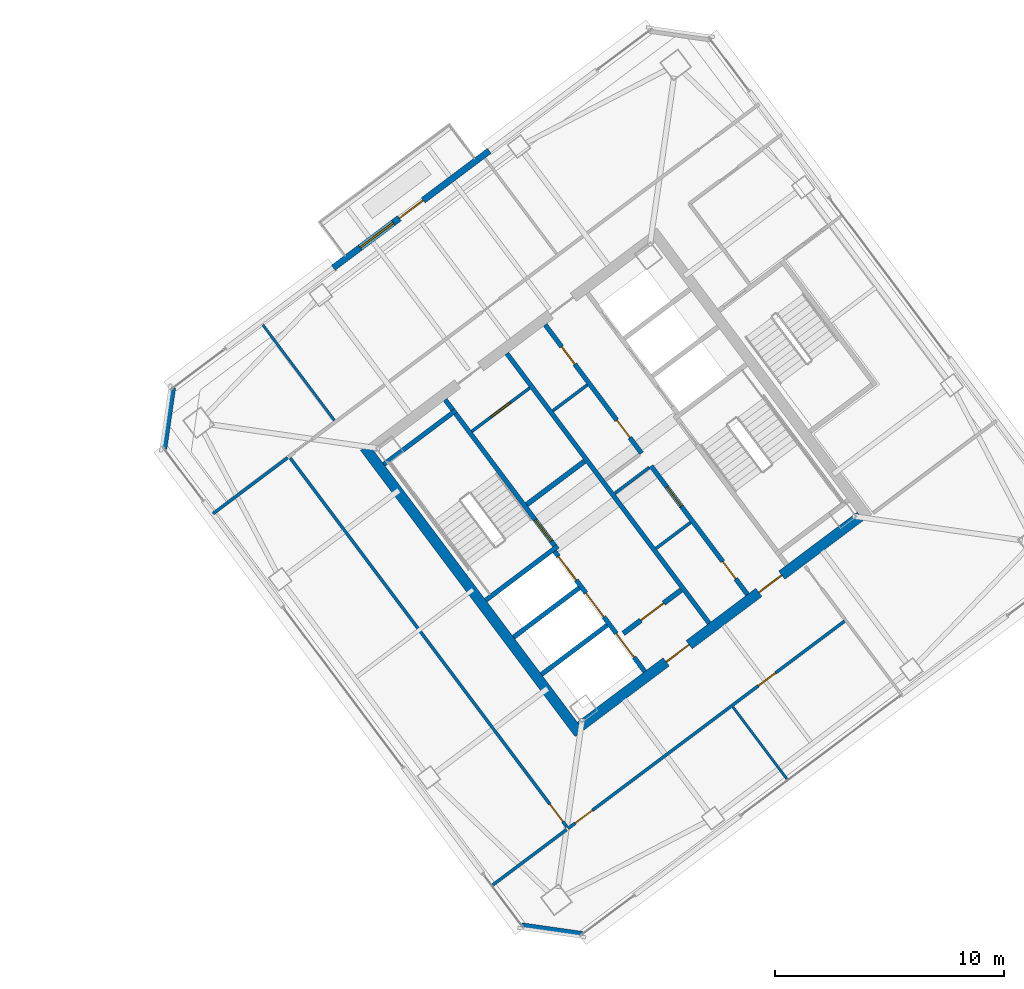
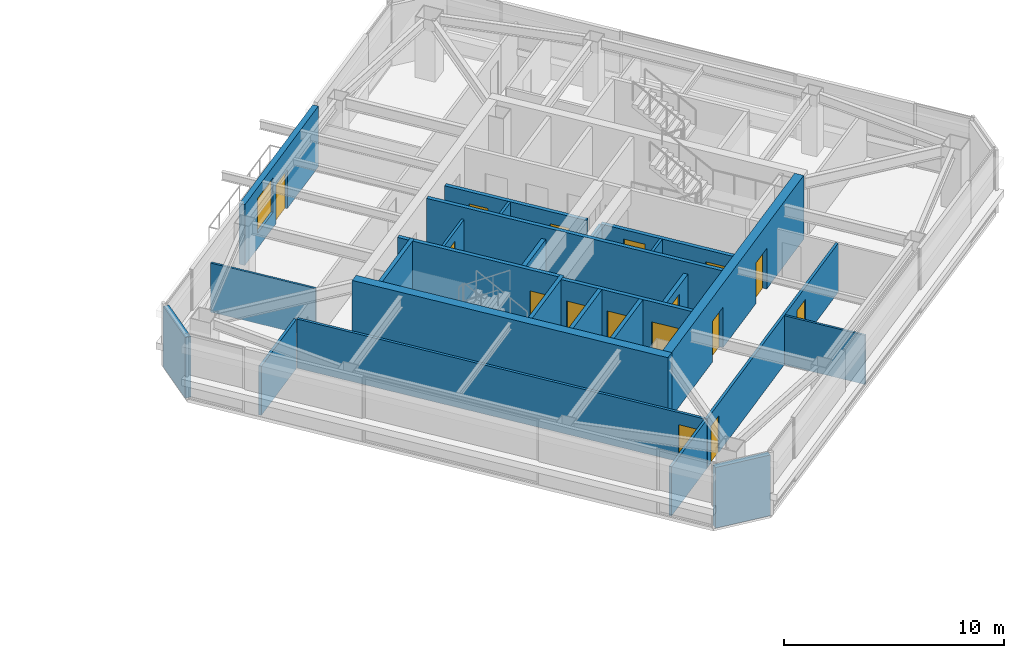
# One storey, part 28 of 36: 26 walls, 16 doors, 1 window, 17 openings.
"""IFC4 building model written with IfcOpenShell, lengths in metres."""

from ifc_helpers import new_model, si_unit, direction, frame, frame_2d, origin, place, context, subcontext, project, spatial, rectangle, extrude, material, layer, layer_set, type_object, element, fill, save


model = new_model("IFC4")

# Units and contexts
model_context = context("Model", 3, precision=1e-05, world=origin(), true_north=direction((0.0, 1.0)))
body_context = subcontext(model_context, "Body", "Model", "MODEL_VIEW")
ifc_project = project(units=[si_unit("LENGTHUNIT", "METRE"), si_unit("AREAUNIT", "SQUARE_METRE"), si_unit("VOLUMEUNIT", "CUBIC_METRE"), si_unit("PLANEANGLEUNIT", "RADIAN"), si_unit("MASSUNIT", "GRAM", prefix="KILO")], contexts=[model_context])

# Site, building, storey
site_placement = place(None, origin())
site = spatial("IfcSite", under=ifc_project, at=site_placement, CompositionType="ELEMENT")
building_placement = place(site_placement, origin())
building = spatial("IfcBuilding", under=site, at=building_placement, Name="Tashvorn Skyway Center", CompositionType="ELEMENT")
storey_placement = place(building_placement, frame((0.0, 0.0, 236.14990234375)))
storey = spatial("IfcBuildingStorey", under=building, at=storey_placement, Name="L64", CompositionType="ELEMENT", Elevation=236.14990234375)

# Wall
ifc_material_1 = material(Name="Concrete C50/60", Category="concrete")
ifc_layer_1 = layer(ifc_material_1, 0.449951171875)
ifc_layer_set_1 = layer_set([ifc_layer_1], Name="Concrete C50/60")
wall_type_1 = type_object("IfcWallType", Name="WALL-CORE-450", PredefinedType="SHEAR", material=ifc_layer_set_1)
wall_1_placement = place(storey_placement, frame((112.39599609375, 21.047119140625, 0.0), z_axis=(0.0, 0.0, 1.0), x_axis=(-0.600005007985, 0.799996243986, 0.0)))
element("IfcWall", 1, at=wall_1_placement, inside=storey, type_object=wall_type_1, Name="Tower 2 L64 West Core Shear Wall", PredefinedType="SHEAR", context=body_context, shape_type="SweptSolid", body=[
    extrude(rectangle(XDim=15.60009765625, YDim=0.449951171875, at=frame_2d((7.800048828125, 0.0))), origin(), (0.0, 0.0, 1.0), 3.550048828125),
])

# Wall, openings, doors
wall_2_placement = place(storey_placement, frame((124.64892578125, 30.51806640625, 0.0), z_axis=(0.0, 0.0, 1.0), x_axis=(-0.8, -0.6, 0.0)))
wall_2 = element("IfcWall", 2, at=wall_2_placement, inside=storey, type_object=wall_type_1, Name="Tower 2 L64 South Core Shear Wall", PredefinedType="SHEAR", context=body_context, shape_type="SweptSolid", body=[
    extrude(rectangle(XDim=15.260009765625, YDim=0.449951171875, at=frame_2d((7.6298828125, 0.0))), origin(), (0.0, 0.0, 1.0), 3.550048828125),
])
opening_1_placement = place(wall_2_placement, frame((9.330078125, 0.0, 0.0)))
opening_1 = element("IfcOpeningElement", 3, at=opening_1_placement, cuts=wall_2, Name="Opening D-FFL-1250", PredefinedType="OPENING", context=body_context, shape_type="SweptSolid", body=[
    extrude(rectangle(XDim=1.25, YDim=2.25, at=frame_2d((0.625, 1.125))), frame((0.0, 0.23486328125, 0.0), z_axis=(0.0, -1.0, 0.0), x_axis=(1.0, 0.0, 0.0)), (0.0, 0.0, 1.0), 0.469970703125),
])
opening_2_placement = place(wall_2_placement, frame((4.280029296875, 0.0, 0.0)))
opening_2 = element("IfcOpeningElement", 4, at=opening_2_placement, cuts=wall_2, Name="Opening D-FFL-1250", PredefinedType="OPENING", context=body_context, shape_type="SweptSolid", body=[
    extrude(rectangle(XDim=1.25, YDim=2.25, at=frame_2d((0.625, 1.125))), frame((0.0, 0.23486328125, 0.0), z_axis=(0.0, -1.0, 0.0), x_axis=(1.0, 0.0, 0.0)), (0.0, 0.0, 1.0), 0.469970703125),
])
ifc_material_2 = material(Name="Hollow galvanized steel fire door assembly", Category="steel")
door_type_1 = type_object("IfcDoorType", Name="DOOR-FFL-1250", OperationType="NOTDEFINED", PredefinedType="DOOR", material=ifc_material_2)
door_1_placement = place(opening_1_placement, origin())
door_1 = element("IfcDoor", 5, at=door_1_placement, inside=storey, type_object=door_type_1, Name="Tower 2 L64 Core South Firefighting Exit Door", OperationType="SINGLE_SWING_LEFT", OverallHeight=2.25, OverallWidth=1.25, PredefinedType="DOOR", context=body_context, shape_type="SweptSolid", body=[
    extrude(rectangle(XDim=1.25, YDim=2.25, at=frame_2d((0.625, 1.125))), frame((0.0, 0.02490234375, 0.0), z_axis=(0.0, -1.0, 0.0), x_axis=(1.0, 0.0, 0.0)), (0.0, 0.0, 1.0), 0.050048828125),
])
fill(opening_1, door_1)
door_2_placement = place(opening_2_placement, origin())
door_2 = element("IfcDoor", 6, at=door_2_placement, inside=storey, type_object=door_type_1, Name="Tower 2 L64 Core South Lift Lobby Door", OperationType="SINGLE_SWING_RIGHT", OverallHeight=2.25, OverallWidth=1.25, PredefinedType="DOOR", context=body_context, shape_type="SweptSolid", body=[
    extrude(rectangle(XDim=1.25, YDim=2.25, at=frame_2d((0.625, 1.125))), frame((0.0, 0.02490234375, 0.0), z_axis=(0.0, -1.0, 0.0), x_axis=(1.0, 0.0, 0.0)), (0.0, 0.0, 1.0), 0.050048828125),
])
fill(opening_2, door_2)

# Wall, openings, door, window
ifc_material_3 = material(Name="Precast concrete C40/50", Category="concrete")
ifc_layer_2 = layer(ifc_material_3, 0.280029296875)
ifc_layer_set_2 = layer_set([ifc_layer_2], Name="Precast concrete C40/50")
wall_type_2 = type_object("IfcWallType", Name="WALL-EXT-280", PredefinedType="SOLIDWALL", material=ifc_layer_set_2)
wall_3_placement = place(storey_placement, frame((101.672119140625, 41.35400390625, 0.0), z_axis=(0.0, 0.0, 1.0), x_axis=(0.799986212866, 0.600018382406, 0.0)))
wall_3 = element("IfcWall", 7, at=wall_3_placement, inside=storey, type_object=wall_type_2, Name="Tower 2 L64 North Terrace Portal Wall", PredefinedType="SOLIDWALL", context=body_context, shape_type="SweptSolid", body=[
    extrude(rectangle(XDim=8.5, YDim=0.280029296875, at=frame_2d((4.25, 0.0))), origin(), (0.0, 0.0, 1.0), 3.3701171875),
])
opening_3_placement = place(wall_3_placement, frame((3.60009765625, 0.0, 0.0)))
opening_3 = element("IfcOpeningElement", 8, at=opening_3_placement, cuts=wall_3, Name="Opening D-TER-1300", PredefinedType="OPENING", context=body_context, shape_type="SweptSolid", body=[
    extrude(rectangle(XDim=1.300048828125, YDim=2.14990234375, at=frame_2d((0.64990234375, 1.074951171875))), frame((0.0, 0.14990234375, 0.0), z_axis=(0.0, -1.0, 0.0), x_axis=(1.0, 0.0, 0.0)), (0.0, 0.0, 1.0), 0.300048828125),
])
opening_4_placement = place(wall_3_placement, frame((1.4599609375, 0.0, 0.85009765625)))
opening_4 = element("IfcOpeningElement", 9, at=opening_4_placement, cuts=wall_3, Name="Opening WIN-1800", PredefinedType="OPENING", context=body_context, shape_type="SweptSolid", body=[
    extrude(rectangle(XDim=1.800048828125, YDim=1.919921875, at=frame_2d((0.89990234375, 0.9599609375))), frame((0.0, 0.14990234375, 0.0), z_axis=(0.0, -1.0, 0.0), x_axis=(1.0, 0.0, 0.0)), (0.0, 0.0, 1.0), 0.300048828125),
])
ifc_material_4 = material(Name="Thermally broken bronze-anodized aluminium 6063-T6", Category="aluminium")
door_type_2 = type_object("IfcDoorType", Name="DOOR-TERR-1300", OperationType="NOTDEFINED", PredefinedType="DOOR", material=ifc_material_4)
door_3_placement = place(opening_3_placement, origin())
door_3 = element("IfcDoor", 10, at=door_3_placement, inside=storey, type_object=door_type_2, Name="Tower 2 L64 Terrace Access Door", OperationType="SINGLE_SWING_LEFT", OverallHeight=2.14990234375, OverallWidth=1.300048828125, PredefinedType="DOOR", context=body_context, shape_type="SweptSolid", body=[
    extrude(rectangle(XDim=1.300048828125, YDim=2.14990234375, at=frame_2d((0.64990234375, 1.074951171875))), frame((0.0, 0.02490234375, 0.0), z_axis=(0.0, -1.0, 0.0), x_axis=(1.0, 0.0, 0.0)), (0.0, 0.0, 1.0), 0.050048828125),
])
fill(opening_3, door_3)
ifc_material_5 = material(Name="Low-E solar-control double insulating safety glass", Category="glass")
window_type = type_object("IfcWindowType", Name="WIN-TERR-1800", PartitioningType="SINGLE_PANEL", PredefinedType="WINDOW", material=ifc_material_5)
window_placement = place(opening_4_placement, origin())
window = element("IfcWindow", 11, at=window_placement, inside=storey, type_object=window_type, Name="Tower 2 L64 Terrace Window", OverallHeight=1.919921875, OverallWidth=1.800048828125, PartitioningType="SINGLE_PANEL", PredefinedType="WINDOW", context=body_context, shape_type="SweptSolid", body=[
    extrude(rectangle(XDim=1.800048828125, YDim=1.919921875, at=frame_2d((0.89990234375, 0.9599609375))), frame((0.0, 0.030029296875, 0.0), z_axis=(0.0, -1.0, 0.0), x_axis=(1.0, 0.0, 0.0)), (0.0, 0.0, 1.0), 0.06005859375),
])
fill(opening_4, window)

# Walls
for number, where, z_axis, x_axis, name in (
    (12, (112.5400390625, 12.280029296875, 0.0), (0.0, 0.0, 1.0), (-0.989956760759, 0.141370477216, 0.0), "Tower 2 L64 SW Precast Chamfer Wall"),
    (13, (94.280029296875, 33.4599609375, 0.0), (0.0, 0.0, 1.0), (0.141370477216, 0.989956760759, 0.0), "Tower 2 L64 NW Precast Chamfer Wall"),
):
    element("IfcWall", number, at=place(storey_placement, frame(where, z_axis=z_axis, x_axis=x_axis)), inside=storey, type_object=wall_type_2, Name=name, PredefinedType="SOLIDWALL", context=body_context, shape_type="SweptSolid", body=[
        extrude(rectangle(XDim=2.687255859375, YDim=0.280029296875, at=frame_2d((1.34375, 0.0))), origin(), (0.0, 0.0, 1.0), 3.3701171875),
    ])
ifc_material_6 = material(Name="Concrete C40/50", Category="concrete")
ifc_layer_3 = layer(ifc_material_6, 0.219970703125)
ifc_layer_set_3 = layer_set([ifc_layer_3], Name="Concrete C40/50")
wall_type_3 = type_object("IfcWallType", Name="WALL-FFL-220", PredefinedType="SOLIDWALL", material=ifc_layer_set_3)
wall_4_placement = place(storey_placement, frame((110.10400390625, 31.028076171875, 0.0), z_axis=(0.0, 0.0, 1.0), x_axis=(0.800018601094, 0.59997519774, 0.0)))
element("IfcWall", 14, at=wall_4_placement, inside=storey, type_object=wall_type_3, Name="Tower 2 L64 Firefighting Lobby North Wall", PredefinedType="SOLIDWALL", context=body_context, shape_type="SweptSolid", body=[
    extrude(rectangle(XDim=3.14990234375, YDim=0.219970703125, at=frame_2d((1.574951171875, 0.0))), origin(), (0.0, 0.0, 1.0), 2.72314453125),
])

# Wall, opening, door
wall_5_placement = place(storey_placement, frame((114.31591796875, 25.412109375, 0.0), z_axis=(0.0, 0.0, 1.0), x_axis=(0.800018601094, 0.59997519774, 0.0)))
wall_5 = element("IfcWall", 15, at=wall_5_placement, inside=storey, type_object=wall_type_3, Name="Tower 2 L64 Firefighting Lobby South Wall", PredefinedType="SOLIDWALL", context=body_context, shape_type="SweptSolid", body=[
    extrude(rectangle(XDim=3.14990234375, YDim=0.219970703125, at=frame_2d((1.574951171875, 0.0))), origin(), (0.0, 0.0, 1.0), 2.72314453125),
])
opening_5_placement = place(wall_5_placement, frame((0.949951171875, 0.0, 0.0)))
opening_5 = element("IfcOpeningElement", 16, at=opening_5_placement, cuts=wall_5, Name="Opening D-FFL-1250", PredefinedType="OPENING", context=body_context, shape_type="SweptSolid", body=[
    extrude(rectangle(XDim=1.25, YDim=2.25, at=frame_2d((0.625, 1.125))), frame((0.0, 0.119873046875, 0.0), z_axis=(0.0, -1.0, 0.0), x_axis=(1.0, 0.0, 0.0)), (0.0, 0.0, 1.0), 0.239990234375),
])
door_4_placement = place(opening_5_placement, origin())
door_4 = element("IfcDoor", 17, at=door_4_placement, inside=storey, type_object=door_type_1, Name="Tower 2 L64 Firefighting Lobby Egress Door", OperationType="SINGLE_SWING_LEFT", OverallHeight=2.25, OverallWidth=1.25, PredefinedType="DOOR", context=body_context, shape_type="SweptSolid", body=[
    extrude(rectangle(XDim=1.25, YDim=2.25, at=frame_2d((0.625, 1.125))), frame((0.0, 0.02490234375, 0.0), z_axis=(0.0, -1.0, 0.0), x_axis=(1.0, 0.0, 0.0)), (0.0, 0.0, 1.0), 0.050048828125),
])
fill(opening_5, door_4)

# Walls
ifc_material_7 = material(Name="Gypsum board on cold-formed steel stud framing", Category="steel")
ifc_layer_4 = layer(ifc_material_7, 0.110107421875)
ifc_layer_set_4 = layer_set([ifc_layer_4], Name="Gypsum board on cold-formed steel stud framing")
wall_type_4 = type_object("IfcWallType", Name="WALL-PART-110", PredefinedType="PARTITIONING", material=ifc_layer_set_4)
wall_6_placement = place(storey_placement, frame((101.721923828125, 34.7041015625, 0.0), z_axis=(0.0, 0.0, 1.0), x_axis=(-0.599992487743, 0.800005634138, 0.0)))
element("IfcWall", 18, at=wall_6_placement, inside=storey, type_object=wall_type_4, Name="Tower 2 L64 North Suite Partition 1", PredefinedType="PARTITIONING", context=body_context, shape_type="SweptSolid", body=[
    extrude(rectangle(XDim=5.199951171875, YDim=0.110107421875, at=frame_2d((2.60009765625, 0.0))), origin(), (0.0, 0.0, 1.0), 2.72314453125),
])
wall_7_placement = place(storey_placement, frame((121.488037109375, 19.01611328125, 0.0), z_axis=(0.0, 0.0, 1.0), x_axis=(-0.600009815063, 0.799992638609, 0.0)))
element("IfcWall", 19, at=wall_7_placement, inside=storey, type_object=wall_type_4, Name="Tower 2 L64 South Suite Partition 1", PredefinedType="PARTITIONING", context=body_context, shape_type="SweptSolid", body=[
    extrude(rectangle(XDim=3.979736328125, YDim=0.110107421875, at=frame_2d((1.98974609375, 0.0))), origin(), (0.0, 0.0, 1.0), 2.72314453125),
])

# Wall, openings, doors
ifc_layer_5 = layer(ifc_material_7, 0.135009765625)
ifc_layer_set_5 = layer_set([ifc_layer_5], Name="Gypsum board on cold-formed steel stud framing")
wall_type_5 = type_object("IfcWallType", Name="WALL-PART-135", PredefinedType="PARTITIONING", material=ifc_layer_set_5)
wall_8_placement = place(storey_placement, frame((124.011962890625, 25.98388671875, 0.0), z_axis=(0.0, 0.0, 1.0), x_axis=(-0.800003872688, -0.599994836382, 0.0)))
wall_8 = element("IfcWall", 20, at=wall_8_placement, inside=storey, type_object=wall_type_5, Name="Tower 2 L64 South Suite Wall", PredefinedType="PARTITIONING", context=body_context, shape_type="SweptSolid", body=[
    extrude(rectangle(XDim=15.1298828125, YDim=0.135009765625, at=frame_2d((7.56494140625, 0.0))), origin(), (0.0, 0.0, 1.0), 2.72314453125),
])
opening_6_placement = place(wall_8_placement, frame((13.800048828125, 0.0, 0.0)))
opening_6 = element("IfcOpeningElement", 21, at=opening_6_placement, cuts=wall_8, Name="Opening D-INT-950", PredefinedType="OPENING", context=body_context, shape_type="SweptSolid", body=[
    extrude(rectangle(XDim=0.949951171875, YDim=2.050048828125, at=frame_2d((0.47509765625, 1.02490234375))), frame((0.0, 0.077392578125, 0.0), z_axis=(0.0, -1.0, 0.0), x_axis=(1.0, 0.0, 0.0)), (0.0, 0.0, 1.0), 0.155029296875),
])
opening_7_placement = place(wall_8_placement, frame((3.8134765625, 0.0, 0.0)))
opening_7 = element("IfcOpeningElement", 22, at=opening_7_placement, cuts=wall_8, Name="Opening D-INT-950", PredefinedType="OPENING", context=body_context, shape_type="SweptSolid", body=[
    extrude(rectangle(XDim=0.949951171875, YDim=2.050048828125, at=frame_2d((0.47509765625, 1.02490234375))), frame((0.0, 0.077392578125, 0.0), z_axis=(0.0, -1.0, 0.0), x_axis=(1.0, 0.0, 0.0)), (0.0, 0.0, 1.0), 0.155029296875),
])
ifc_material_8 = material(Name="Solid-core architectural oak veneer door")
door_type_3 = type_object("IfcDoorType", Name="DOOR-INT-950", OperationType="NOTDEFINED", PredefinedType="DOOR", material=ifc_material_8)
door_5_placement = place(opening_6_placement, origin())
door_5 = element("IfcDoor", 23, at=door_5_placement, inside=storey, type_object=door_type_3, Name="Tower 2 L64 Executive Suite Door", OperationType="SINGLE_SWING_LEFT", OverallHeight=2.050048828125, OverallWidth=0.949951171875, PredefinedType="DOOR", context=body_context, shape_type="SweptSolid", body=[
    extrude(rectangle(XDim=0.949951171875, YDim=2.050048828125, at=frame_2d((0.47509765625, 1.02490234375))), frame((0.0, 0.02490234375, 0.0), z_axis=(0.0, -1.0, 0.0), x_axis=(1.0, 0.0, 0.0)), (0.0, 0.0, 1.0), 0.050048828125),
])
fill(opening_6, door_5)
door_6_placement = place(opening_7_placement, origin())
door_6 = element("IfcDoor", 24, at=door_6_placement, inside=storey, type_object=door_type_3, Name="Tower 2 L64 Design Studio Door", OperationType="SINGLE_SWING_RIGHT", OverallHeight=2.050048828125, OverallWidth=0.949951171875, PredefinedType="DOOR", context=body_context, shape_type="SweptSolid", body=[
    extrude(rectangle(XDim=0.949951171875, YDim=2.050048828125, at=frame_2d((0.47509765625, 1.02490234375))), frame((0.0, 0.02490234375, 0.0), z_axis=(0.0, -1.0, 0.0), x_axis=(1.0, 0.0, 0.0)), (0.0, 0.0, 1.0), 0.050048828125),
])
fill(opening_7, door_6)

# Wall, opening, door
wall_9_placement = place(storey_placement, frame((111.860107421875, 16.969970703125, 0.0), z_axis=(0.0, 0.0, 1.0), x_axis=(-0.60000194242, 0.799998543181, 0.0)))
wall_9 = element("IfcWall", 25, at=wall_9_placement, inside=storey, type_object=wall_type_5, Name="Tower 2 L64 West Inner Suite Wall", PredefinedType="PARTITIONING", context=body_context, shape_type="SweptSolid", body=[
    extrude(rectangle(XDim=20.110107421875, YDim=0.135009765625, at=frame_2d((10.05517578125, 0.0))), origin(), (0.0, 0.0, 1.0), 2.72314453125),
])
opening_8_placement = place(wall_9_placement, frame((0.300048828125, 0.0, 0.0)))
opening_8 = element("IfcOpeningElement", 26, at=opening_8_placement, cuts=wall_9, Name="Opening D-INT-950", PredefinedType="OPENING", context=body_context, shape_type="SweptSolid", body=[
    extrude(rectangle(XDim=0.949951171875, YDim=2.050048828125, at=frame_2d((0.47509765625, 1.02490234375))), frame((0.0, 0.077392578125, 0.0), z_axis=(0.0, -1.0, 0.0), x_axis=(1.0, 0.0, 0.0)), (0.0, 0.0, 1.0), 0.155029296875),
])
door_7_placement = place(opening_8_placement, origin())
door_7 = element("IfcDoor", 27, at=door_7_placement, inside=storey, type_object=door_type_3, Name="Tower 2 L64 Public Restroom Door", OperationType="SINGLE_SWING_RIGHT", OverallHeight=2.050048828125, OverallWidth=0.949951171875, PredefinedType="DOOR", context=body_context, shape_type="SweptSolid", body=[
    extrude(rectangle(XDim=0.949951171875, YDim=2.050048828125, at=frame_2d((0.47509765625, 1.02490234375))), frame((0.0, 0.02490234375, 0.0), z_axis=(0.0, -1.0, 0.0), x_axis=(1.0, 0.0, 0.0)), (0.0, 0.0, 1.0), 0.050048828125),
])
fill(opening_8, door_7)

# Walls
wall_10_placement = place(storey_placement, frame((99.681884765625, 33.073974609375, 0.0), z_axis=(0.0, 0.0, 1.0), x_axis=(-0.8, -0.6, 0.0)))
element("IfcWall", 28, at=wall_10_placement, inside=storey, type_object=wall_type_5, Name="Tower 2 L64 West Suite North Wall", PredefinedType="PARTITIONING", context=body_context, shape_type="SweptSolid", body=[
    extrude(rectangle(XDim=4.06982421875, YDim=0.135009765625, at=frame_2d((2.034912109375, 0.0))), origin(), (0.0, 0.0, 1.0), 2.72314453125),
])
wall_11_placement = place(storey_placement, frame((108.587890625, 14.416015625, 0.0), z_axis=(0.0, 0.0, 1.0), x_axis=(0.800021594126, 0.599971206752, 0.0)))
element("IfcWall", 29, at=wall_11_placement, inside=storey, type_object=wall_type_5, Name="Tower 2 L64 West Suite South Wall", PredefinedType="PARTITIONING", context=body_context, shape_type="SweptSolid", body=[
    extrude(rectangle(XDim=4.070068359375, YDim=0.135009765625, at=frame_2d((2.03515625, 0.0))), origin(), (0.0, 0.0, 1.0), 2.72314453125),
])

# Wall, opening, door
ifc_layer_6 = layer(ifc_material_7, 0.135009765625)
ifc_layer_set_6 = layer_set([ifc_layer_6], Name="Gypsum board on cold-formed steel stud framing")
wall_type_6 = type_object("IfcWallType", Name="WALL-RATED-135", PredefinedType="PARTITIONING", material=ifc_layer_set_6)
wall_12_placement = place(storey_placement, frame((107.7099609375, 34.219970703125, 0.0), z_axis=(0.0, 0.0, 1.0), x_axis=(0.799981399002, 0.60002480053, 0.0)))
wall_12 = element("IfcWall", 30, at=wall_12_placement, inside=storey, type_object=wall_type_6, Name="Tower 2 L64 Core Service Lobby Wall", PredefinedType="PARTITIONING", context=body_context, shape_type="SweptSolid", body=[
    extrude(rectangle(XDim=3.150146484375, YDim=0.135009765625, at=frame_2d((1.5751953125, 0.0))), origin(), (0.0, 0.0, 1.0), 2.72314453125),
])
opening_9_placement = place(wall_12_placement, frame((1.050048828125, 0.0, 0.0)))
opening_9 = element("IfcOpeningElement", 31, at=opening_9_placement, cuts=wall_12, Name="Opening D-RT-1050", PredefinedType="OPENING", context=body_context, shape_type="SweptSolid", body=[
    extrude(rectangle(XDim=1.050048828125, YDim=2.199951171875, at=frame_2d((0.52490234375, 1.10009765625))), frame((0.0, 0.077392578125, 0.0), z_axis=(0.0, -1.0, 0.0), x_axis=(1.0, 0.0, 0.0)), (0.0, 0.0, 1.0), 0.155029296875),
])
door_type_4 = type_object("IfcDoorType", Name="DOOR-RATED-1050", OperationType="NOTDEFINED", PredefinedType="DOOR", material=ifc_material_2)
door_8_placement = place(opening_9_placement, origin())
door_8 = element("IfcDoor", 32, at=door_8_placement, inside=storey, type_object=door_type_4, Name="Tower 2 L64 Core Accessible WC Door", OperationType="SINGLE_SWING_LEFT", OverallHeight=2.199951171875, OverallWidth=1.050048828125, PredefinedType="DOOR", context=body_context, shape_type="SweptSolid", body=[
    extrude(rectangle(XDim=1.050048828125, YDim=2.199951171875, at=frame_2d((0.52490234375, 1.10009765625))), frame((0.0, 0.02490234375, 0.0), z_axis=(0.0, -1.0, 0.0), x_axis=(1.0, 0.0, 0.0)), (0.0, 0.0, 1.0), 0.050048828125),
])
fill(opening_9, door_8)

# Walls
for number, where, z_axis, x_axis, name in (
    (33, (113.946044921875, 31.52197265625, 0.0), (0.0, 0.0, 1.0), (0.8, 0.6, 0.0), "Tower 2 L64 Core Room Partition"),
    (34, (115.74609375, 29.1220703125, 0.0), (0.0, 0.0, 1.0), (0.8, 0.6, 0.0), "Tower 2 L64 Freed Core Partition"),
    (35, (111.24609375, 35.1220703125, 0.0), (0.0, 0.0, 1.0), (0.8, 0.6, 0.0), "Tower 2 L64 Freed Mid-Rise Partition"),
):
    element("IfcWall", number, at=place(storey_placement, frame(where, z_axis=z_axis, x_axis=x_axis)), inside=storey, type_object=wall_type_6, Name=name, PredefinedType="PARTITIONING", context=body_context, shape_type="SweptSolid", body=[
        extrude(rectangle(XDim=1.8798828125, YDim=0.135009765625, at=frame_2d((0.93994140625, 0.0))), origin(), (0.0, 0.0, 1.0), 2.72314453125),
    ])
ifc_layer_7 = layer(ifc_material_6, 0.199951171875)
ifc_layer_set_7 = layer_set([ifc_layer_7], Name="Concrete C40/50")
wall_type_7 = type_object("IfcWallType", Name="WALL-SHAFT-200", PredefinedType="SOLIDWALL", material=ifc_layer_set_7)
for number, where, z_axis, x_axis, name in (
    (36, (110.74609375, 23.6220703125, 0.0), (0.0, 0.0, 1.0), (0.800008183455, 0.599989088572, 0.0), "Tower 2 L64 FSAE Shaft Divider"),
    (37, (109.528076171875, 25.24609375, 0.0), (0.0, 0.0, 1.0), (0.800008183455, 0.599989088572, 0.0), "Tower 2 L64 FSAE Shaft Divider"),
):
    element("IfcWall", number, at=place(storey_placement, frame(where, z_axis=z_axis, x_axis=x_axis)), inside=storey, type_object=wall_type_7, Name=name, PredefinedType="SOLIDWALL", context=body_context, shape_type="SweptSolid", body=[
        extrude(rectangle(XDim=3.580078125, YDim=0.199951171875, at=frame_2d((1.7900390625, 0.0))), origin(), (0.0, 0.0, 1.0), 3.3701171875),
    ])

# Wall, openings, doors
wall_13_placement = place(storey_placement, frame((119.72998046875, 27.110107421875, 0.0), z_axis=(0.0, 0.0, 1.0), x_axis=(-0.600005580459, 0.799995814625, 0.0)))
wall_13 = element("IfcWall", 38, at=wall_13_placement, inside=storey, type_object=wall_type_7, Name="Tower 2 L64 Low-Rise Core Wall", PredefinedType="SOLIDWALL", context=body_context, shape_type="SweptSolid", body=[
    extrude(rectangle(XDim=6.999755859375, YDim=0.199951171875, at=frame_2d((3.5, 0.0))), origin(), (0.0, 0.0, 1.0), 2.72314453125),
])
opening_10_placement = place(wall_13_placement, frame((0.85009765625, 0.0, 0.0)))
opening_10 = element("IfcOpeningElement", 39, at=opening_10_placement, cuts=wall_13, Name="Opening D-RT-950", PredefinedType="OPENING", context=body_context, shape_type="SweptSolid", body=[
    extrude(rectangle(XDim=0.949951171875, YDim=2.050048828125, at=frame_2d((0.47509765625, 1.02490234375))), frame((0.0, 0.10986328125, 0.0), z_axis=(0.0, -1.0, 0.0), x_axis=(1.0, 0.0, 0.0)), (0.0, 0.0, 1.0), 0.219970703125),
])
opening_11_placement = place(wall_13_placement, frame((4.800048828125, 0.0, 0.0)))
opening_11 = element("IfcOpeningElement", 40, at=opening_11_placement, cuts=wall_13, Name="Opening D-RT-1050", PredefinedType="OPENING", context=body_context, shape_type="SweptSolid", body=[
    extrude(rectangle(XDim=1.050048828125, YDim=2.199951171875, at=frame_2d((0.52490234375, 1.10009765625))), frame((0.0, 0.10986328125, 0.0), z_axis=(0.0, -1.0, 0.0), x_axis=(1.0, 0.0, 0.0)), (0.0, 0.0, 1.0), 0.219970703125),
])
door_9_placement = place(opening_11_placement, origin())
door_9 = element("IfcDoor", 41, at=door_9_placement, inside=storey, type_object=door_type_4, Name="Tower 2 L64 Freed Core Room Door", OperationType="SINGLE_SWING_RIGHT", OverallHeight=2.199951171875, OverallWidth=1.050048828125, PredefinedType="DOOR", context=body_context, shape_type="SweptSolid", body=[
    extrude(rectangle(XDim=1.050048828125, YDim=2.199951171875, at=frame_2d((0.52490234375, 1.10009765625))), frame((0.0, 0.02490234375, 0.0), z_axis=(0.0, -1.0, 0.0), x_axis=(1.0, 0.0, 0.0)), (0.0, 0.0, 1.0), 0.050048828125),
])
fill(opening_11, door_9)
door_type_5 = type_object("IfcDoorType", Name="DOOR-RATED-950", OperationType="NOTDEFINED", PredefinedType="DOOR", material=ifc_material_2)
door_10_placement = place(opening_10_placement, origin())
door_10 = element("IfcDoor", 42, at=door_10_placement, inside=storey, type_object=door_type_5, Name="Tower 2 L64 Core Print Room Door", OperationType="SINGLE_SWING_LEFT", OverallHeight=2.050048828125, OverallWidth=0.949951171875, PredefinedType="DOOR", context=body_context, shape_type="SweptSolid", body=[
    extrude(rectangle(XDim=0.949951171875, YDim=2.050048828125, at=frame_2d((0.47509765625, 1.02490234375))), frame((0.0, 0.02490234375, 0.0), z_axis=(0.0, -1.0, 0.0), x_axis=(1.0, 0.0, 0.0)), (0.0, 0.0, 1.0), 0.050048828125),
])
fill(opening_10, door_10)

wall_14_placement = place(storey_placement, frame((115.110107421875, 33.27001953125, 0.0), z_axis=(0.0, 0.0, 1.0), x_axis=(-0.600011160345, 0.79999162962, 0.0)))
wall_14 = element("IfcWall", 43, at=wall_14_placement, inside=storey, type_object=wall_type_7, Name="Tower 2 L64 Mid-Rise Core Wall", PredefinedType="SOLIDWALL", context=body_context, shape_type="SweptSolid", body=[
    extrude(rectangle(XDim=7.000244140625, YDim=0.199951171875, at=frame_2d((3.5, 0.0))), origin(), (0.0, 0.0, 1.0), 2.72314453125),
])
opening_12_placement = place(wall_14_placement, frame((0.85009765625, 0.0, 0.0)))
opening_12 = element("IfcOpeningElement", 44, at=opening_12_placement, cuts=wall_14, Name="Opening D-RT-950", PredefinedType="OPENING", context=body_context, shape_type="SweptSolid", body=[
    extrude(rectangle(XDim=0.949951171875, YDim=2.050048828125, at=frame_2d((0.47509765625, 1.02490234375))), frame((0.0, 0.10986328125, 0.0), z_axis=(0.0, -1.0, 0.0), x_axis=(1.0, 0.0, 0.0)), (0.0, 0.0, 1.0), 0.219970703125),
])
opening_13_placement = place(wall_14_placement, frame((4.85009765625, 0.0, 0.0)))
opening_13 = element("IfcOpeningElement", 45, at=opening_13_placement, cuts=wall_14, Name="Opening D-RT-950", PredefinedType="OPENING", context=body_context, shape_type="SweptSolid", body=[
    extrude(rectangle(XDim=0.949951171875, YDim=2.050048828125, at=frame_2d((0.47509765625, 1.02490234375))), frame((0.0, 0.10986328125, 0.0), z_axis=(0.0, -1.0, 0.0), x_axis=(1.0, 0.0, 0.0)), (0.0, 0.0, 1.0), 0.219970703125),
])
door_11_placement = place(opening_12_placement, origin())
door_11 = element("IfcDoor", 46, at=door_11_placement, inside=storey, type_object=door_type_5, Name="Tower 2 L64 Core IT Room Door", OperationType="SINGLE_SWING_RIGHT", OverallHeight=2.050048828125, OverallWidth=0.949951171875, PredefinedType="DOOR", context=body_context, shape_type="SweptSolid", body=[
    extrude(rectangle(XDim=0.949951171875, YDim=2.050048828125, at=frame_2d((0.47509765625, 1.02490234375))), frame((0.0, 0.02490234375, 0.0), z_axis=(0.0, -1.0, 0.0), x_axis=(1.0, 0.0, 0.0)), (0.0, 0.0, 1.0), 0.050048828125),
])
fill(opening_12, door_11)
door_12_placement = place(opening_13_placement, origin())
door_12 = element("IfcDoor", 47, at=door_12_placement, inside=storey, type_object=door_type_5, Name="Tower 2 L64 Core Catering Pantry Door", OperationType="SINGLE_SWING_LEFT", OverallHeight=2.050048828125, OverallWidth=0.949951171875, PredefinedType="DOOR", context=body_context, shape_type="SweptSolid", body=[
    extrude(rectangle(XDim=0.949951171875, YDim=2.050048828125, at=frame_2d((0.47509765625, 1.02490234375))), frame((0.0, 0.02490234375, 0.0), z_axis=(0.0, -1.0, 0.0), x_axis=(1.0, 0.0, 0.0)), (0.0, 0.0, 1.0), 0.050048828125),
])
fill(opening_13, door_12)

# Wall, opening, door
ifc_layer_8 = layer(ifc_material_6, 0.199951171875)
ifc_layer_set_8 = layer_set([ifc_layer_8], Name="Concrete C40/50")
wall_type_8 = type_object("IfcWallType", Name="WALL-STSHF-200", PredefinedType="SHEAR", material=ifc_layer_set_8)
wall_15_placement = place(storey_placement, frame((111.43994140625, 29.080078125, 0.0), z_axis=(0.0, 0.0, 1.0), x_axis=(-0.59999041401, 0.800007189403, 0.0)))
wall_15 = element("IfcWall", 48, at=wall_15_placement, inside=storey, type_object=wall_type_8, Name="Tower 2 L64 Stair 1 Enclosure Wall", PredefinedType="SHEAR", context=body_context, shape_type="SweptSolid", body=[
    extrude(rectangle(XDim=8.14990234375, YDim=0.199951171875, at=frame_2d((4.074951171875, 0.0))), origin(), (0.0, 0.0, 1.0), 3.3701171875),
])
opening_14_placement = place(wall_15_placement, frame((0.449951171875, 0.0, 0.0)))
opening_14 = element("IfcOpeningElement", 49, at=opening_14_placement, cuts=wall_15, Name="Opening D-ST-1150", PredefinedType="OPENING", context=body_context, shape_type="SweptSolid", body=[
    extrude(rectangle(XDim=1.14990234375, YDim=2.199951171875, at=frame_2d((0.574951171875, 1.10009765625))), frame((0.0, 0.10986328125, 0.0), z_axis=(0.0, -1.0, 0.0), x_axis=(1.0, 0.0, 0.0)), (0.0, 0.0, 1.0), 0.219970703125),
])
door_type_6 = type_object("IfcDoorType", Name="DOOR-STAIR-1150", OperationType="NOTDEFINED", PredefinedType="DOOR", material=ifc_material_2)
door_13_placement = place(opening_14_placement, origin())
door_13 = element("IfcDoor", 50, at=door_13_placement, inside=storey, type_object=door_type_6, Name="Tower 2 L64 Exit Stair 1 Door", OperationType="SINGLE_SWING_RIGHT", OverallHeight=2.199951171875, OverallWidth=1.14990234375, PredefinedType="DOOR", context=body_context, shape_type="SweptSolid", body=[
    extrude(rectangle(XDim=1.14990234375, YDim=2.199951171875, at=frame_2d((0.574951171875, 1.10009765625))), frame((0.0, 0.02490234375, 0.0), z_axis=(0.0, -1.0, 0.0), x_axis=(1.0, 0.0, 0.0)), (0.0, 0.0, 1.0), 0.050048828125),
])
fill(opening_14, door_13)

# Walls
for number, where, z_axis, x_axis, name in (
    (51, (108.31591796875, 26.862060546875, 0.0), (0.0, 0.0, 1.0), (0.800014909178, 0.599980120581, 0.0), "Tower 2 L64 Stair 1 South Wall"),
    (52, (103.8759765625, 32.781982421875, 0.0), (0.0, 0.0, 1.0), (0.800014909178, 0.599980120581, 0.0), "Tower 2 L64 Stair 1 North Wall"),
):
    element("IfcWall", number, at=place(storey_placement, frame(where, z_axis=z_axis, x_axis=x_axis)), inside=storey, type_object=wall_type_8, Name=name, PredefinedType="SHEAR", context=body_context, shape_type="SweptSolid", body=[
        extrude(rectangle(XDim=3.929931640625, YDim=0.199951171875, at=frame_2d((1.96484375, 0.0))), origin(), (0.0, 0.0, 1.0), 3.3701171875),
    ])
wall_16_placement = place(storey_placement, frame((118.05810546875, 25.85595703125, 0.0), z_axis=(0.0, 0.0, 1.0), x_axis=(-0.600002657301, 0.799998007018, 0.0)))
element("IfcWall", 53, at=wall_16_placement, inside=storey, type_object=wall_type_8, Name="Tower 2 L64 Firefighting Lobby East Smoke Barrier", PredefinedType="SHEAR", context=body_context, shape_type="SweptSolid", body=[
    extrude(rectangle(XDim=14.699951171875, YDim=0.199951171875, at=frame_2d((7.35009765625, 0.0))), origin(), (0.0, 0.0, 1.0), 3.3701171875),
])

# Wall, openings, doors
wall_17_placement = place(storey_placement, frame((115.25, 23.75, 0.0), z_axis=(0.0, 0.0, 1.0), x_axis=(-0.599994036198, 0.800004472816, 0.0)))
wall_17 = element("IfcWall", 54, at=wall_17_placement, inside=storey, type_object=wall_type_8, Name="Tower 2 L64 FSAE and Goods Shaft Front Wall", PredefinedType="SHEAR", context=body_context, shape_type="SweptSolid", body=[
    extrude(rectangle(XDim=6.550048828125, YDim=0.199951171875, at=frame_2d((3.27490234375, 0.0))), origin(), (0.0, 0.0, 1.0), 3.3701171875),
])
opening_15_placement = place(wall_17_placement, frame((4.97509765625, 0.0, 0.0)))
opening_15 = element("IfcOpeningElement", 55, at=opening_15_placement, cuts=wall_17, Name="Opening LD-FF-T2-1-L64", PredefinedType="OPENING", context=body_context, shape_type="SweptSolid", body=[
    extrude(rectangle(XDim=1.300048828125, YDim=2.25, at=frame_2d((0.64990234375, 1.125))), frame((0.0, 0.10986328125, 0.0), z_axis=(0.0, -1.0, 0.0), x_axis=(1.0, 0.0, 0.0)), (0.0, 0.0, 1.0), 0.219970703125),
])
opening_16_placement = place(wall_17_placement, frame((2.97509765625, 0.0, 0.0)))
opening_16 = element("IfcOpeningElement", 56, at=opening_16_placement, cuts=wall_17, Name="Opening LD-FF-T2-2-L64", PredefinedType="OPENING", context=body_context, shape_type="SweptSolid", body=[
    extrude(rectangle(XDim=1.300048828125, YDim=2.25, at=frame_2d((0.64990234375, 1.125))), frame((0.0, 0.10986328125, 0.0), z_axis=(0.0, -1.0, 0.0), x_axis=(1.0, 0.0, 0.0)), (0.0, 0.0, 1.0), 0.219970703125),
])
opening_17_placement = place(wall_17_placement, frame((0.77490234375, 0.0, 0.0)))
opening_17 = element("IfcOpeningElement", 57, at=opening_17_placement, cuts=wall_17, Name="Opening LD-GD-T2-1-L64", PredefinedType="OPENING", context=body_context, shape_type="SweptSolid", body=[
    extrude(rectangle(XDim=1.300048828125, YDim=2.25, at=frame_2d((0.64990234375, 1.125))), frame((0.0, 0.10986328125, 0.0), z_axis=(0.0, -1.0, 0.0), x_axis=(1.0, 0.0, 0.0)), (0.0, 0.0, 1.0), 0.219970703125),
])
ifc_material_9 = material(Name="Stainless steel heavy-duty landing door", Category="steel")
door_type_7 = type_object("IfcDoorType", Name="DOOR-LIFT-1300", OperationType="SLIDING_TO_LEFT", PredefinedType="DOOR", material=ifc_material_9)
door_14_placement = place(opening_15_placement, origin())
door_14 = element("IfcDoor", 58, at=door_14_placement, inside=storey, type_object=door_type_7, Name="Lift FF-T2-1 L64 Landing Door", OperationType="SLIDING_TO_LEFT", OverallHeight=2.25, OverallWidth=1.300048828125, PredefinedType="DOOR", context=body_context, shape_type="SweptSolid", body=[
    extrude(rectangle(XDim=1.300048828125, YDim=2.25, at=frame_2d((0.64990234375, 1.125))), frame((0.0, 0.02490234375, 0.0), z_axis=(0.0, -1.0, 0.0), x_axis=(1.0, 0.0, 0.0)), (0.0, 0.0, 1.0), 0.050048828125),
])
fill(opening_15, door_14)
door_15_placement = place(opening_16_placement, origin())
door_15 = element("IfcDoor", 59, at=door_15_placement, inside=storey, type_object=door_type_7, Name="Lift FF-T2-2 L64 Landing Door", OperationType="SLIDING_TO_LEFT", OverallHeight=2.25, OverallWidth=1.300048828125, PredefinedType="DOOR", context=body_context, shape_type="SweptSolid", body=[
    extrude(rectangle(XDim=1.300048828125, YDim=2.25, at=frame_2d((0.64990234375, 1.125))), frame((0.0, 0.02490234375, 0.0), z_axis=(0.0, -1.0, 0.0), x_axis=(1.0, 0.0, 0.0)), (0.0, 0.0, 1.0), 0.050048828125),
])
fill(opening_16, door_15)
door_16_placement = place(opening_17_placement, origin())
door_16 = element("IfcDoor", 60, at=door_16_placement, inside=storey, type_object=door_type_7, Name="Lift GD-T2-1 L64 Landing Door", OperationType="SLIDING_TO_LEFT", OverallHeight=2.25, OverallWidth=1.300048828125, PredefinedType="DOOR", context=body_context, shape_type="SweptSolid", body=[
    extrude(rectangle(XDim=1.300048828125, YDim=2.25, at=frame_2d((0.64990234375, 1.125))), frame((0.0, 0.02490234375, 0.0), z_axis=(0.0, -1.0, 0.0), x_axis=(1.0, 0.0, 0.0)), (0.0, 0.0, 1.0), 0.050048828125),
])
fill(opening_17, door_16)

save(model, "model.ifc")
